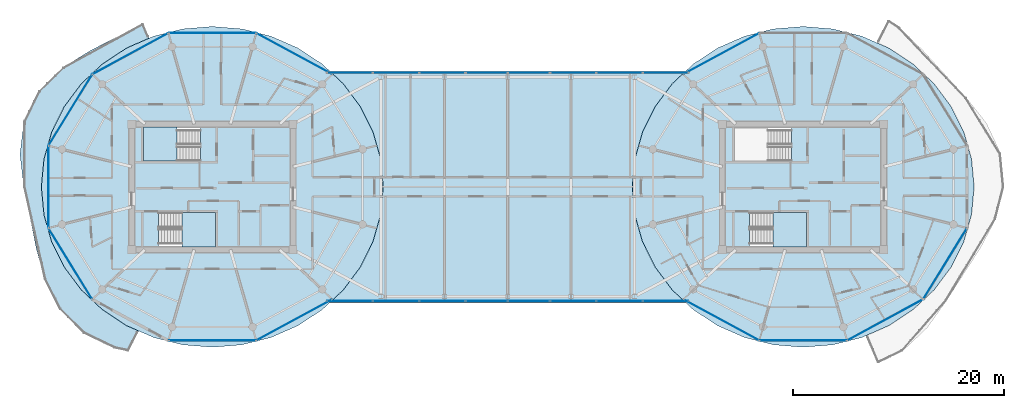
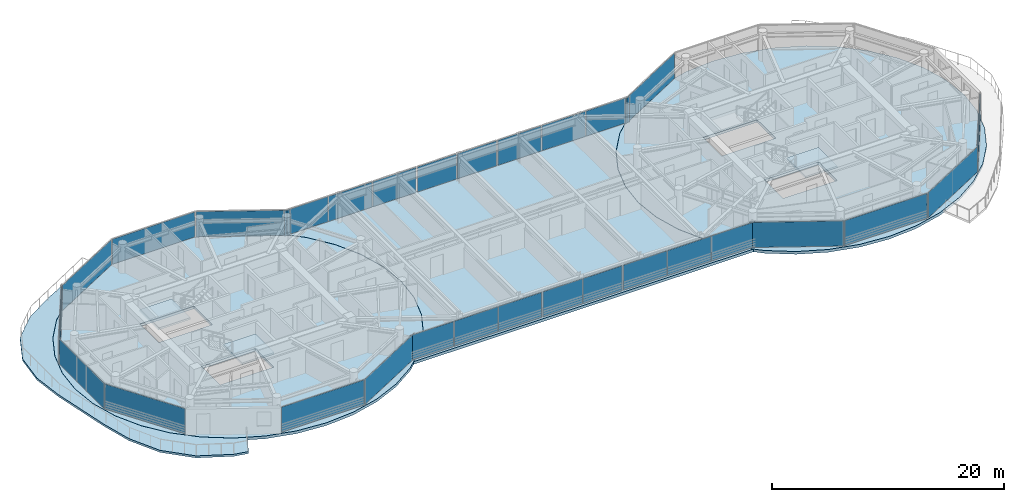
# One storey, part 12 of 24: 29 plates, 7 slabs, 22 elements without a shape of their own.
"""IFC4 building model written with IfcOpenShell, lengths in metres."""

from ifc_helpers import new_model, si_unit, direction, frame, origin, origin_2d, place, context, subcontext, project, spatial, polyline, rectangle, outline, extrude, source, transform, mapped, material, layer, layer_set, type_object, type_shapes, element, aggregate, save


model = new_model("IFC4")

# Units and contexts
model_context = context("Model", 3, precision=1e-05, world=origin(), true_north=direction((0.0, 1.0)))
body_context = subcontext(model_context, "Body", "Model", "MODEL_VIEW")
ifc_project = project(units=[si_unit("LENGTHUNIT", "METRE"), si_unit("AREAUNIT", "SQUARE_METRE"), si_unit("VOLUMEUNIT", "CUBIC_METRE"), si_unit("PLANEANGLEUNIT", "RADIAN"), si_unit("MASSUNIT", "GRAM", prefix="KILO")], contexts=[model_context])

# Site, building, storey
site_placement = place(None, origin())
site = spatial("IfcSite", under=ifc_project, at=site_placement, CompositionType="ELEMENT")
building_placement = place(site_placement, origin())
building = spatial("IfcBuilding", under=site, at=building_placement, Name="Norrkilde Senior Care Towers", CompositionType="ELEMENT")
storey_placement = place(building_placement, frame((0.0, 0.0, 213.89990234375)))
storey = spatial("IfcBuildingStorey", under=building, at=storey_placement, Name="L66", CompositionType="ELEMENT", Elevation=213.89990234375)

# Slabs
ifc_material_1 = material(Name="Concrete C50/60", Category="concrete")
ifc_layer_1 = layer(ifc_material_1, 0.2900390625)
ifc_layer_set_1 = layer_set([ifc_layer_1], Name="Concrete C50/60")
slab_type_1 = type_object("IfcSlabType", Name="Bridge Floor Slab 290", PredefinedType="FLOOR", material=ifc_layer_set_1)
slab_1_placement = place(storey_placement, frame((0.0, 0.0, -0.289794921875)))
element("IfcSlab", 1, at=slab_1_placement, inside=storey, type_object=slab_type_1, Name="L66 Drum W Structural Floor Slab", PredefinedType="FLOOR", context=body_context, shape_type="SweptSolid", body=[
    extrude(outline(polyline([(-12.777099609375, -5.19873046875), (-13.970458984375, -7.60009765625), (-15.590087890625, -9.770263671875), (-17.5869140625, -11.643798828125), (-19.89990234375, -13.16357421875), (-22.459228515625, -14.283447265625), (-25.18701171875, -14.968994140625), (-28.0, -15.199951171875), (-30.81298828125, -14.968994140625), (-33.540771484375, -14.283447265625), (-36.10009765625, -13.16357421875), (-38.4130859375, -11.643798828125), (-40.409912109375, -9.770263671875), (-42.029541015625, -7.60009765625), (-43.222900390625, -5.19873046875), (-43.953857421875, -2.639404296875), (-44.199951171875, 0.0), (-43.953857421875, 2.639404296875), (-43.222900390625, 5.19873046875), (-42.029541015625, 7.60009765625), (-40.409912109375, 9.770263671875), (-38.4130859375, 11.643798828125), (-36.10009765625, 13.16357421875), (-33.540771484375, 14.283447265625), (-30.81298828125, 14.968994140625), (-28.0, 15.199951171875), (-25.18701171875, 14.968994140625), (-22.459228515625, 14.283447265625), (-19.89990234375, 13.16357421875), (-17.5869140625, 11.643798828125), (-15.590087890625, 9.770263671875), (-13.970458984375, 7.60009765625), (-12.777099609375, 5.19873046875), (-12.046142578125, 2.639404296875), (-11.800048828125, 0.0), (-12.046142578125, -2.639404296875), (-12.777099609375, -5.19873046875)]), holes=[polyline([(-34.48193359375, 2.468017578125), (-29.117919921875, 2.468017578125), (-29.117919921875, 5.68994140625), (-34.48193359375, 5.68994140625), (-34.48193359375, 2.468017578125)]), polyline([(-27.718017578125, -5.68994140625), (-27.718017578125, -2.468017578125), (-33.08203125, -2.468017578125), (-33.08203125, -5.68994140625), (-27.718017578125, -5.68994140625)])]), origin(), (0.0, 0.0, 1.0), 0.289794921875),
])
slab_2_placement = place(storey_placement, frame((0.0, 0.0, -0.289794921875)))
element("IfcSlab", 2, at=slab_2_placement, inside=storey, type_object=slab_type_1, Name="L66 Drum E Structural Floor Slab", PredefinedType="FLOOR", context=body_context, shape_type="SweptSolid", body=[
    extrude(outline(polyline([(43.222900390625, -5.19873046875), (42.029541015625, -7.60009765625), (40.409912109375, -9.770263671875), (38.4130859375, -11.643798828125), (36.10009765625, -13.16357421875), (33.540771484375, -14.283447265625), (30.81298828125, -14.968994140625), (28.0, -15.199951171875), (25.18701171875, -14.968994140625), (22.459228515625, -14.283447265625), (19.89990234375, -13.16357421875), (17.5869140625, -11.643798828125), (15.590087890625, -9.770263671875), (13.970458984375, -7.60009765625), (12.777099609375, -5.19873046875), (12.046142578125, -2.639404296875), (11.800048828125, 0.0), (12.046142578125, 2.639404296875), (12.777099609375, 5.19873046875), (13.970458984375, 7.60009765625), (15.590087890625, 9.770263671875), (17.5869140625, 11.643798828125), (19.89990234375, 13.16357421875), (22.459228515625, 14.283447265625), (25.18701171875, 14.968994140625), (28.0, 15.199951171875), (30.81298828125, 14.968994140625), (33.540771484375, 14.283447265625), (36.10009765625, 13.16357421875), (38.4130859375, 11.643798828125), (40.409912109375, 9.770263671875), (42.029541015625, 7.60009765625), (43.222900390625, 5.19873046875), (43.953857421875, 2.639404296875), (44.199951171875, 0.0), (43.953857421875, -2.639404296875), (43.222900390625, -5.19873046875)]), holes=[polyline([(21.51806640625, 2.468017578125), (26.882080078125, 2.468017578125), (26.882080078125, 5.68994140625), (21.51806640625, 5.68994140625), (21.51806640625, 2.468017578125)]), polyline([(28.281982421875, -5.68994140625), (28.281982421875, -2.468017578125), (22.91796875, -2.468017578125), (22.91796875, -5.68994140625), (28.281982421875, -5.68994140625)])]), origin(), (0.0, 0.0, 1.0), 0.289794921875),
])
slab_3_placement = place(storey_placement, frame((0.0, 0.0, -0.289794921875)))
element("IfcSlab", 3, at=slab_3_placement, inside=storey, type_object=slab_type_1, Name="L66 Sky-Gate Bridge Floor Slab", PredefinedType="FLOOR", context=body_context, shape_type="SweptSolid", body=[
    extrude(outline(polyline([(16.893310546875, 11.0), (15.586669921875, 9.77392578125), (15.58642578125, 9.773681640625), (15.586181640625, 9.7734375), (13.96630859375, 7.60302734375), (13.966064453125, 7.6025390625), (13.9658203125, 7.602294921875), (12.7724609375, 5.200927734375), (12.772216796875, 5.200439453125), (12.772216796875, 5.2001953125), (12.041259765625, 2.640869140625), (12.041259765625, 2.640380859375), (12.041015625, 2.639892578125), (11.794921875, 0.00048828125), (11.794921875, 0.0), (11.794921875, -0.00048828125), (12.041015625, -2.639892578125), (12.041259765625, -2.640380859375), (12.041259765625, -2.640869140625), (12.772216796875, -5.2001953125), (12.772216796875, -5.200439453125), (12.7724609375, -5.200927734375), (13.9658203125, -7.602294921875), (13.966064453125, -7.6025390625), (13.96630859375, -7.60302734375), (15.586181640625, -9.7734375), (15.58642578125, -9.773681640625), (15.586669921875, -9.77392578125), (16.893310546875, -11.0), (-16.893310546875, -11.0), (-15.586669921875, -9.77392578125), (-15.58642578125, -9.773681640625), (-15.586181640625, -9.7734375), (-13.96630859375, -7.60302734375), (-13.966064453125, -7.6025390625), (-13.9658203125, -7.602294921875), (-12.7724609375, -5.200927734375), (-12.772216796875, -5.200439453125), (-12.772216796875, -5.2001953125), (-12.041259765625, -2.640869140625), (-12.041259765625, -2.640380859375), (-12.041015625, -2.639892578125), (-11.794921875, -0.00048828125), (-11.794921875, 0.0), (-11.794921875, 0.00048828125), (-12.041015625, 2.639892578125), (-12.041259765625, 2.640380859375), (-12.041259765625, 2.640869140625), (-12.772216796875, 5.2001953125), (-12.772216796875, 5.200439453125), (-12.7724609375, 5.200927734375), (-13.9658203125, 7.602294921875), (-13.966064453125, 7.6025390625), (-13.96630859375, 7.60302734375), (-15.586181640625, 9.7734375), (-15.58642578125, 9.773681640625), (-15.586669921875, 9.77392578125), (-16.893310546875, 11.0), (16.893310546875, 11.0)])), origin(), (0.0, 0.0, 1.0), 0.289794921875),
])
ifc_layer_2 = layer(ifc_material_1, 0.215087890625)
ifc_layer_set_2 = layer_set([ifc_layer_2], Name="Concrete C50/60")
slab_type_2 = type_object("IfcSlabType", Name="Sinusoidal Balcony Ribbon Slab 215", PredefinedType="FLOOR", material=ifc_layer_set_2)
slab_4_placement = place(storey_placement, frame((0.0, 0.0, -0.21484375)))
element("IfcSlab", 4, at=slab_4_placement, inside=storey, type_object=slab_type_2, Name="L66 Drum W Swirling Senior Balcony 1", PredefinedType="FLOOR", context=body_context, shape_type="SweptSolid", body=[
    extrude(outline(polyline([(-42.472900390625, -11.615234375), (-43.908447265625, -8.756103515625), (-44.7021484375, -5.7724609375), (-45.282470703125, -2.88916015625), (-45.869384765625, 0.0), (-46.2265625, 3.066650390625), (-45.853515625, 6.21923828125), (-44.4423828125, 9.084716796875), (-42.153076171875, 11.329345703125), (-39.45947265625, 12.972900390625), (-36.7451171875, 14.354248046875), (-34.5576171875, 15.49951171875), (-33.966552734375, 14.1025390625), (-36.1025390625, 13.16796875), (-38.416259765625, 11.647705078125), (-40.413818359375, 9.773681640625), (-42.033935546875, 7.6025390625), (-43.227783203125, 5.200439453125), (-43.958740234375, 2.640380859375), (-44.205078125, 0.0), (-43.958740234375, -2.640380859375), (-43.227783203125, -5.200439453125), (-42.033935546875, -7.6025390625), (-40.413818359375, -9.773681640625), (-38.416259765625, -11.647705078125), (-36.1025390625, -13.16796875), (-34.976806640625, -13.660400390625), (-35.95947265625, -15.584228515625), (-37.26220703125, -15.309326171875), (-40.1884765625, -13.89892578125), (-42.472900390625, -11.615234375)])), origin(), (0.0, 0.0, 1.0), 0.21484375),
])

# Stair, slab
ifc_material_2 = material(Name="Concrete C45/55", Category="concrete")
stair_type = type_object("IfcStairType", Name="Core Protected Dogleg Stair Typical 3050", PredefinedType="HALF_TURN_STAIR", material=ifc_material_2)
stair_1_placement = place(storey_placement, origin())
stair_1 = element("IfcStair", 5, at=stair_1_placement, inside=storey, type_object=stair_type, Name="L66 Protected Core Stair W1", PredefinedType="HALF_TURN_STAIR")
ifc_layer_3 = layer(ifc_material_2, 0.199951171875)
ifc_layer_set_3 = layer_set([ifc_layer_3], Name="Concrete C45/55")
slab_type_3 = type_object("IfcSlabType", Name="Stair Landing Slab 200", PredefinedType="LANDING", material=ifc_layer_set_3)
slab_5_placement = place(storey_placement, frame((0.0, 0.0, 1.3251953125)))
slab_5 = element("IfcSlab", 6, at=slab_5_placement, type_object=slab_type_3, Name="ST-W1 landing 1", PredefinedType="LANDING", context=body_context, shape_type="SweptSolid", body=[
    extrude(outline(polyline([(-31.340087890625, 5.68994140625), (-34.5, 5.68994140625), (-34.5, 2.449951171875), (-31.340087890625, 2.449951171875), (-31.340087890625, 5.68994140625)])), origin(), (0.0, 0.0, 1.0), 0.199951171875),
])
aggregate(stair_1, [slab_5])

stair_2_placement = place(storey_placement, origin())
stair_2 = element("IfcStair", 7, at=stair_2_placement, inside=storey, type_object=stair_type, Name="L66 Protected Core Stair W2", PredefinedType="HALF_TURN_STAIR")
slab_6_placement = place(storey_placement, frame((0.0, 0.0, 1.3251953125)))
slab_6 = element("IfcSlab", 8, at=slab_6_placement, type_object=slab_type_3, Name="ST-W2 landing 1", PredefinedType="LANDING", context=body_context, shape_type="SweptSolid", body=[
    extrude(outline(polyline([(-30.860107421875, -5.68994140625), (-27.699951171875, -5.68994140625), (-27.699951171875, -2.449951171875), (-30.860107421875, -2.449951171875), (-30.860107421875, -5.68994140625)])), origin(), (0.0, 0.0, 1.0), 0.199951171875),
])
aggregate(stair_2, [slab_6])

stair_3_placement = place(storey_placement, origin())
stair_3 = element("IfcStair", 9, at=stair_3_placement, inside=storey, type_object=stair_type, Name="L66 Protected Core Stair E2", PredefinedType="HALF_TURN_STAIR")
slab_7_placement = place(storey_placement, frame((0.0, 0.0, 1.3251953125)))
slab_7 = element("IfcSlab", 10, at=slab_7_placement, type_object=slab_type_3, Name="ST-E2 landing 1", PredefinedType="LANDING", context=body_context, shape_type="SweptSolid", body=[
    extrude(outline(polyline([(25.139892578125, -5.68994140625), (28.300048828125, -5.68994140625), (28.300048828125, -2.449951171875), (25.139892578125, -2.449951171875), (25.139892578125, -5.68994140625)])), origin(), (0.0, 0.0, 1.0), 0.199951171875),
])
aggregate(stair_3, [slab_7])

# Curtain wall, plate
ifc_material_3 = material(Name="Triple Low-E Insulated Glazing", Category="glass")
ifc_layer_4 = layer(ifc_material_3, 0.18505859375)
ifc_layer_set_4 = layer_set([ifc_layer_4], Name="Triple Low-E Insulated Glazing")
curtain_wall_type_1 = type_object("IfcCurtainWallType", Name="CW6 Zone 4 Crown Pavilion Curtain Wall", PredefinedType="NOTDEFINED", material=ifc_layer_set_4)
curtain_wall_1_placement = place(storey_placement, origin())
curtain_wall_1 = element("IfcCurtainWall", 11, at=curtain_wall_1_placement, inside=storey, type_object=curtain_wall_type_1, Name="L66 Drum W Curtain Wall 04", PredefinedType="NOTDEFINED")
ifc_layer_5 = layer(ifc_material_3, 0.035888671875)
ifc_layer_set_5 = layer_set([ifc_layer_5], Name="Triple Low-E Insulated Glazing")
plate_type = type_object("IfcPlateType", Name="Triple Low-E Vision Curtain Panel 36", PredefinedType="CURTAIN_PANEL", material=ifc_layer_set_5)
shared_shape_1 = source(origin(), body_context, "Body", "SweptSolid", [
    extrude(rectangle(XDim=7.80859375, YDim=0.035888671875, at=origin_2d()), origin(), (0.0, 0.0, 1.0), 2.639892578125),
])
plate_1_placement = place(storey_placement, frame((-41.451171875, 7.282958984375, 0.06005859375), z_axis=(0.0, 0.0, 1.0), x_axis=(0.524252726748, 0.851562727283, 0.0)))
plate_1 = element("IfcPlate", 12, at=plate_1_placement, type_object=plate_type, Name="CW-6 panel 1.1", PredefinedType="CURTAIN_PANEL", context=body_context, shape_type="MappedRepresentation", body=[
    mapped(shared_shape_1, transform((0.0, 0.0, 0.0), x_axis=(1.0, 0.0, 0.0), y_axis=(0.0, 1.0, 0.0), z_axis=(0.0, 0.0, 1.0), scale=1.0)),
])
aggregate(curtain_wall_1, [plate_1])

curtain_wall_2_placement = place(storey_placement, origin())
curtain_wall_2 = element("IfcCurtainWall", 13, at=curtain_wall_2_placement, inside=storey, type_object=curtain_wall_type_1, Name="L66 Drum W Curtain Wall 06", PredefinedType="NOTDEFINED")
plate_2_placement = place(storey_placement, frame((-41.451171875, -7.282958984375, 0.06005859375), z_axis=(0.0, 0.0, 1.0), x_axis=(-0.524252726748, 0.851562727283, 0.0)))
plate_2 = element("IfcPlate", 14, at=plate_2_placement, type_object=plate_type, Name="CW-6 panel 1.1", PredefinedType="CURTAIN_PANEL", context=body_context, shape_type="MappedRepresentation", body=[
    mapped(shared_shape_1, transform((0.0, 0.0, 0.0), x_axis=(1.0, 0.0, 0.0), y_axis=(0.0, 1.0, 0.0), z_axis=(0.0, 0.0, 1.0), scale=1.0)),
])
aggregate(curtain_wall_2, [plate_2])

curtain_wall_3_placement = place(storey_placement, origin())
curtain_wall_3 = element("IfcCurtainWall", 15, at=curtain_wall_3_placement, inside=storey, type_object=curtain_wall_type_1, Name="L66 Drum E Curtain Wall 10", PredefinedType="NOTDEFINED")
plate_3_placement = place(storey_placement, frame((41.451171875, -7.282958984375, 0.06005859375), z_axis=(0.0, 0.0, 1.0), x_axis=(-0.524252726748, -0.851562727283, 0.0)))
plate_3 = element("IfcPlate", 16, at=plate_3_placement, type_object=plate_type, Name="CW-6 panel 1.1", PredefinedType="CURTAIN_PANEL", context=body_context, shape_type="MappedRepresentation", body=[
    mapped(shared_shape_1, transform((0.0, 0.0, 0.0), x_axis=(1.0, 0.0, 0.0), y_axis=(0.0, 1.0, 0.0), z_axis=(0.0, 0.0, 1.0), scale=1.0)),
])
aggregate(curtain_wall_3, [plate_3])

curtain_wall_4_placement = place(storey_placement, origin())
curtain_wall_4 = element("IfcCurtainWall", 17, at=curtain_wall_4_placement, inside=storey, type_object=curtain_wall_type_1, Name="L66 Drum W Curtain Wall 01", PredefinedType="NOTDEFINED")
shared_shape_2 = source(origin(), body_context, "Body", "SweptSolid", [
    extrude(rectangle(XDim=8.0673828125, YDim=0.035888671875, at=origin_2d()), origin(), (0.0, 0.0, 1.0), 2.639892578125),
])
plate_4_placement = place(storey_placement, frame((-20.23388671875, 12.61474609375, 0.06005859375), z_axis=(0.0, 0.0, 1.0), x_axis=(0.879373455772, -0.476132676136, 0.0)))
plate_4 = element("IfcPlate", 18, at=plate_4_placement, type_object=plate_type, Name="CW-6 panel 1.1", PredefinedType="CURTAIN_PANEL", context=body_context, shape_type="MappedRepresentation", body=[
    mapped(shared_shape_2, transform((0.0, 0.0, 0.0), x_axis=(1.0, 0.0, 0.0), y_axis=(0.0, 1.0, 0.0), z_axis=(0.0, 0.0, 1.0), scale=1.0)),
])
aggregate(curtain_wall_4, [plate_4])

curtain_wall_5_placement = place(storey_placement, origin())
curtain_wall_5 = element("IfcCurtainWall", 19, at=curtain_wall_5_placement, inside=storey, type_object=curtain_wall_type_1, Name="L66 Drum W Curtain Wall 03", PredefinedType="NOTDEFINED")
plate_5_placement = place(storey_placement, frame((-35.76611328125, 12.61474609375, 0.06005859375), z_axis=(0.0, 0.0, 1.0), x_axis=(0.879373455772, 0.476132676136, 0.0)))
plate_5 = element("IfcPlate", 20, at=plate_5_placement, type_object=plate_type, Name="CW-6 panel 1.1", PredefinedType="CURTAIN_PANEL", context=body_context, shape_type="MappedRepresentation", body=[
    mapped(shared_shape_2, transform((0.0, 0.0, 0.0), x_axis=(1.0, 0.0, 0.0), y_axis=(0.0, 1.0, 0.0), z_axis=(0.0, 0.0, 1.0), scale=1.0)),
])
aggregate(curtain_wall_5, [plate_5])

curtain_wall_6_placement = place(storey_placement, origin())
curtain_wall_6 = element("IfcCurtainWall", 21, at=curtain_wall_6_placement, inside=storey, type_object=curtain_wall_type_1, Name="L66 Drum W Curtain Wall 09", PredefinedType="NOTDEFINED")
plate_6_placement = place(storey_placement, frame((-20.23388671875, -12.61474609375, 0.06005859375), z_axis=(0.0, 0.0, 1.0), x_axis=(-0.879373455772, -0.476132676136, 0.0)))
plate_6 = element("IfcPlate", 22, at=plate_6_placement, type_object=plate_type, Name="CW-6 panel 1.1", PredefinedType="CURTAIN_PANEL", context=body_context, shape_type="MappedRepresentation", body=[
    mapped(shared_shape_2, transform((0.0, 0.0, 0.0), x_axis=(1.0, 0.0, 0.0), y_axis=(0.0, 1.0, 0.0), z_axis=(0.0, 0.0, 1.0), scale=1.0)),
])
aggregate(curtain_wall_6, [plate_6])

curtain_wall_7_placement = place(storey_placement, origin())
curtain_wall_7 = element("IfcCurtainWall", 23, at=curtain_wall_7_placement, inside=storey, type_object=curtain_wall_type_1, Name="L66 Drum E Curtain Wall 03", PredefinedType="NOTDEFINED")
plate_7_placement = place(storey_placement, frame((20.23388671875, 12.61474609375, 0.06005859375), z_axis=(0.0, 0.0, 1.0), x_axis=(0.879373455772, 0.476132676136, 0.0)))
plate_7 = element("IfcPlate", 24, at=plate_7_placement, type_object=plate_type, Name="CW-6 panel 1.1", PredefinedType="CURTAIN_PANEL", context=body_context, shape_type="MappedRepresentation", body=[
    mapped(shared_shape_2, transform((0.0, 0.0, 0.0), x_axis=(1.0, 0.0, 0.0), y_axis=(0.0, 1.0, 0.0), z_axis=(0.0, 0.0, 1.0), scale=1.0)),
])
aggregate(curtain_wall_7, [plate_7])

curtain_wall_8_placement = place(storey_placement, origin())
curtain_wall_8 = element("IfcCurtainWall", 25, at=curtain_wall_8_placement, inside=storey, type_object=curtain_wall_type_1, Name="L66 Drum E Curtain Wall 07", PredefinedType="NOTDEFINED")
plate_8_placement = place(storey_placement, frame((20.23388671875, -12.61474609375, 0.06005859375), z_axis=(0.0, 0.0, 1.0), x_axis=(-0.879373455772, 0.476132676136, 0.0)))
plate_8 = element("IfcPlate", 26, at=plate_8_placement, type_object=plate_type, Name="CW-6 panel 1.1", PredefinedType="CURTAIN_PANEL", context=body_context, shape_type="MappedRepresentation", body=[
    mapped(shared_shape_2, transform((0.0, 0.0, 0.0), x_axis=(1.0, 0.0, 0.0), y_axis=(0.0, 1.0, 0.0), z_axis=(0.0, 0.0, 1.0), scale=1.0)),
])
aggregate(curtain_wall_8, [plate_8])

curtain_wall_9_placement = place(storey_placement, origin())
curtain_wall_9 = element("IfcCurtainWall", 27, at=curtain_wall_9_placement, inside=storey, type_object=curtain_wall_type_1, Name="L66 Drum E Curtain Wall 09", PredefinedType="NOTDEFINED")
plate_9_placement = place(storey_placement, frame((35.76611328125, -12.61474609375, 0.06005859375), z_axis=(0.0, 0.0, 1.0), x_axis=(-0.879373455772, -0.476132676136, 0.0)))
plate_9 = element("IfcPlate", 28, at=plate_9_placement, type_object=plate_type, Name="CW-6 panel 1.1", PredefinedType="CURTAIN_PANEL", context=body_context, shape_type="MappedRepresentation", body=[
    mapped(shared_shape_2, transform((0.0, 0.0, 0.0), x_axis=(1.0, 0.0, 0.0), y_axis=(0.0, 1.0, 0.0), z_axis=(0.0, 0.0, 1.0), scale=1.0)),
])
aggregate(curtain_wall_9, [plate_9])

curtain_wall_10_placement = place(storey_placement, origin())
curtain_wall_10 = element("IfcCurtainWall", 29, at=curtain_wall_10_placement, inside=storey, type_object=curtain_wall_type_1, Name="L66 Drum W Curtain Wall 02", PredefinedType="NOTDEFINED")
shared_shape_3 = source(origin(), body_context, "Body", "SweptSolid", [
    extrude(rectangle(XDim=8.193603515625, YDim=0.035888671875, at=origin_2d()), origin(), (0.0, 0.0, 1.0), 2.639892578125),
])
plate_10_placement = place(storey_placement, frame((-28.0, 14.566162109375, 0.06005859375), z_axis=(0.0, 0.0, 1.0), x_axis=(1.0, 0.0, 0.0)))
plate_10 = element("IfcPlate", 30, at=plate_10_placement, type_object=plate_type, Name="CW-6 panel 1.1", PredefinedType="CURTAIN_PANEL", context=body_context, shape_type="MappedRepresentation", body=[
    mapped(shared_shape_3, transform((0.0, 0.0, 0.0), x_axis=(1.0, 0.0, 0.0), y_axis=(0.0, 1.0, 0.0), z_axis=(0.0, 0.0, 1.0), scale=1.0)),
])
aggregate(curtain_wall_10, [plate_10])

curtain_wall_11_placement = place(storey_placement, origin())
curtain_wall_11 = element("IfcCurtainWall", 31, at=curtain_wall_11_placement, inside=storey, type_object=curtain_wall_type_1, Name="L66 Drum W Curtain Wall 08", PredefinedType="NOTDEFINED")
plate_11_placement = place(storey_placement, frame((-28.0, -14.566162109375, 0.06005859375), z_axis=(0.0, 0.0, 1.0), x_axis=(-1.0, 0.0, 0.0)))
plate_11 = element("IfcPlate", 32, at=plate_11_placement, type_object=plate_type, Name="CW-6 panel 1.1", PredefinedType="CURTAIN_PANEL", context=body_context, shape_type="MappedRepresentation", body=[
    mapped(shared_shape_3, transform((0.0, 0.0, 0.0), x_axis=(1.0, 0.0, 0.0), y_axis=(0.0, 1.0, 0.0), z_axis=(0.0, 0.0, 1.0), scale=1.0)),
])
aggregate(curtain_wall_11, [plate_11])

curtain_wall_12_placement = place(storey_placement, origin())
curtain_wall_12 = element("IfcCurtainWall", 33, at=curtain_wall_12_placement, inside=storey, type_object=curtain_wall_type_1, Name="L66 Drum E Curtain Wall 08", PredefinedType="NOTDEFINED")
plate_12_placement = place(storey_placement, frame((28.0, -14.566162109375, 0.06005859375), z_axis=(0.0, 0.0, 1.0), x_axis=(-1.0, 0.0, 0.0)))
plate_12 = element("IfcPlate", 34, at=plate_12_placement, type_object=plate_type, Name="CW-6 panel 1.1", PredefinedType="CURTAIN_PANEL", context=body_context, shape_type="MappedRepresentation", body=[
    mapped(shared_shape_3, transform((0.0, 0.0, 0.0), x_axis=(1.0, 0.0, 0.0), y_axis=(0.0, 1.0, 0.0), z_axis=(0.0, 0.0, 1.0), scale=1.0)),
])
aggregate(curtain_wall_12, [plate_12])

curtain_wall_13_placement = place(storey_placement, origin())
curtain_wall_13 = element("IfcCurtainWall", 35, at=curtain_wall_13_placement, inside=storey, type_object=curtain_wall_type_1, Name="L66 Drum W Curtain Wall 05", PredefinedType="NOTDEFINED")
shared_shape_4 = source(origin(), body_context, "Body", "SweptSolid", [
    extrude(rectangle(XDim=7.676025390625, YDim=0.035888671875, at=origin_2d()), origin(), (0.0, 0.0, 1.0), 2.639892578125),
])
plate_13_placement = place(storey_placement, frame((-43.531982421875, 0.0, 0.06005859375), z_axis=(0.0, 0.0, 1.0), x_axis=(0.0, 1.0, 0.0)))
plate_13 = element("IfcPlate", 36, at=plate_13_placement, type_object=plate_type, Name="CW-6 panel 1.1", PredefinedType="CURTAIN_PANEL", context=body_context, shape_type="MappedRepresentation", body=[
    mapped(shared_shape_4, transform((0.0, 0.0, 0.0), x_axis=(1.0, 0.0, 0.0), y_axis=(0.0, 1.0, 0.0), z_axis=(0.0, 0.0, 1.0), scale=1.0)),
])
aggregate(curtain_wall_13, [plate_13])

# Curtain wall, plates
ifc_layer_6 = layer(ifc_material_3, 0.2099609375)
ifc_layer_set_6 = layer_set([ifc_layer_6], Name="Triple Low-E Insulated Glazing")
curtain_wall_type_2 = type_object("IfcCurtainWallType", Name="CW5 Sky-Gate Bridge Curtain Wall", PredefinedType="NOTDEFINED", material=ifc_layer_set_6)
curtain_wall_14_placement = place(storey_placement, origin())
curtain_wall_14 = element("IfcCurtainWall", 37, at=curtain_wall_14_placement, inside=storey, type_object=curtain_wall_type_2, Name="L66 Sky-Gate Bridge North Curtain Wall 1", PredefinedType="NOTDEFINED")
shared_shape_5 = source(origin(), body_context, "Body", "SweptSolid", [
    extrude(rectangle(XDim=4.294921875, YDim=0.035888671875, at=origin_2d()), origin(), (0.0, 0.0, 1.0), 2.6298828125),
])
plate_14_placement = place(storey_placement, frame((-14.982421875, 10.820068359375, 0.065185546875), z_axis=(0.0, 0.0, 1.0), x_axis=(1.0, 0.0, 0.0)))
plate_14 = element("IfcPlate", 38, at=plate_14_placement, type_object=plate_type, Name="CW-5 panel 1.1", PredefinedType="CURTAIN_PANEL", context=body_context, shape_type="MappedRepresentation", body=[
    mapped(shared_shape_5, transform((0.0, 0.0, 0.0), x_axis=(1.0, 0.0, 0.0), y_axis=(0.0, 1.0, 0.0), z_axis=(0.0, 0.0, 1.0), scale=1.0)),
])
plate_15_placement = place(storey_placement, frame((-6.217529296875, 10.820068359375, 0.065185546875), z_axis=(0.0, 0.0, 1.0), x_axis=(1.0, 0.0, 0.0)))
plate_15 = element("IfcPlate", 39, at=plate_15_placement, type_object=plate_type, Name="CW-5 panel 3.1", PredefinedType="CURTAIN_PANEL", context=body_context, shape_type="MappedRepresentation", body=[
    mapped(shared_shape_5, transform((0.0, 0.0, 0.0), x_axis=(1.0, 0.0, 0.0), y_axis=(0.0, 1.0, 0.0), z_axis=(0.0, 0.0, 1.0), scale=1.0)),
])

curtain_wall_15_placement = place(storey_placement, origin())
curtain_wall_15 = element("IfcCurtainWall", 40, at=curtain_wall_15_placement, inside=storey, type_object=curtain_wall_type_2, Name="L66 Sky-Gate Bridge North Curtain Wall 3", PredefinedType="NOTDEFINED")
plate_16_placement = place(storey_placement, frame((6.217529296875, 10.820068359375, 0.065185546875), z_axis=(0.0, 0.0, 1.0), x_axis=(1.0, 0.0, 0.0)))
plate_16 = element("IfcPlate", 41, at=plate_16_placement, type_object=plate_type, Name="CW-5 panel 1.1", PredefinedType="CURTAIN_PANEL", context=body_context, shape_type="MappedRepresentation", body=[
    mapped(shared_shape_5, transform((0.0, 0.0, 0.0), x_axis=(1.0, 0.0, 0.0), y_axis=(0.0, 1.0, 0.0), z_axis=(0.0, 0.0, 1.0), scale=1.0)),
])
plate_17_placement = place(storey_placement, frame((14.982421875, 10.820068359375, 0.065185546875), z_axis=(0.0, 0.0, 1.0), x_axis=(1.0, 0.0, 0.0)))
plate_17 = element("IfcPlate", 42, at=plate_17_placement, type_object=plate_type, Name="CW-5 panel 3.1", PredefinedType="CURTAIN_PANEL", context=body_context, shape_type="MappedRepresentation", body=[
    mapped(shared_shape_5, transform((0.0, 0.0, 0.0), x_axis=(1.0, 0.0, 0.0), y_axis=(0.0, 1.0, 0.0), z_axis=(0.0, 0.0, 1.0), scale=1.0)),
])

curtain_wall_16_placement = place(storey_placement, origin())
curtain_wall_16 = element("IfcCurtainWall", 43, at=curtain_wall_16_placement, inside=storey, type_object=curtain_wall_type_2, Name="L66 Sky-Gate Bridge South Curtain Wall 1", PredefinedType="NOTDEFINED")
plate_18_placement = place(storey_placement, frame((14.982421875, -10.820068359375, 0.065185546875), z_axis=(0.0, 0.0, 1.0), x_axis=(-1.0, 0.0, 0.0)))
plate_18 = element("IfcPlate", 44, at=plate_18_placement, type_object=plate_type, Name="CW-5 panel 1.1", PredefinedType="CURTAIN_PANEL", context=body_context, shape_type="MappedRepresentation", body=[
    mapped(shared_shape_5, transform((0.0, 0.0, 0.0), x_axis=(1.0, 0.0, 0.0), y_axis=(0.0, 1.0, 0.0), z_axis=(0.0, 0.0, 1.0), scale=1.0)),
])
plate_19_placement = place(storey_placement, frame((6.217529296875, -10.820068359375, 0.065185546875), z_axis=(0.0, 0.0, 1.0), x_axis=(-1.0, 0.0, 0.0)))
plate_19 = element("IfcPlate", 45, at=plate_19_placement, type_object=plate_type, Name="CW-5 panel 3.1", PredefinedType="CURTAIN_PANEL", context=body_context, shape_type="MappedRepresentation", body=[
    mapped(shared_shape_5, transform((0.0, 0.0, 0.0), x_axis=(1.0, 0.0, 0.0), y_axis=(0.0, 1.0, 0.0), z_axis=(0.0, 0.0, 1.0), scale=1.0)),
])

curtain_wall_17_placement = place(storey_placement, origin())
curtain_wall_17 = element("IfcCurtainWall", 46, at=curtain_wall_17_placement, inside=storey, type_object=curtain_wall_type_2, Name="L66 Sky-Gate Bridge South Curtain Wall 3", PredefinedType="NOTDEFINED")
plate_20_placement = place(storey_placement, frame((-6.217529296875, -10.820068359375, 0.065185546875), z_axis=(0.0, 0.0, 1.0), x_axis=(-1.0, 0.0, 0.0)))
plate_20 = element("IfcPlate", 47, at=plate_20_placement, type_object=plate_type, Name="CW-5 panel 1.1", PredefinedType="CURTAIN_PANEL", context=body_context, shape_type="MappedRepresentation", body=[
    mapped(shared_shape_5, transform((0.0, 0.0, 0.0), x_axis=(1.0, 0.0, 0.0), y_axis=(0.0, 1.0, 0.0), z_axis=(0.0, 0.0, 1.0), scale=1.0)),
])
plate_21_placement = place(storey_placement, frame((-14.982421875, -10.820068359375, 0.065185546875), z_axis=(0.0, 0.0, 1.0), x_axis=(-1.0, 0.0, 0.0)))
plate_21 = element("IfcPlate", 48, at=plate_21_placement, type_object=plate_type, Name="CW-5 panel 3.1", PredefinedType="CURTAIN_PANEL", context=body_context, shape_type="MappedRepresentation", body=[
    mapped(shared_shape_5, transform((0.0, 0.0, 0.0), x_axis=(1.0, 0.0, 0.0), y_axis=(0.0, 1.0, 0.0), z_axis=(0.0, 0.0, 1.0), scale=1.0)),
])

# Plate
shared_shape_6 = source(origin(), body_context, "Body", "SweptSolid", [
    extrude(rectangle(XDim=4.330078125, YDim=0.035888671875, at=origin_2d()), origin(), (0.0, 0.0, 1.0), 2.6298828125),
])
plate_22_placement = place(storey_placement, frame((-10.60009765625, 10.820068359375, 0.065185546875), z_axis=(0.0, 0.0, 1.0), x_axis=(1.0, 0.0, 0.0)))
plate_22 = element("IfcPlate", 49, at=plate_22_placement, type_object=plate_type, Name="CW-5 panel 2.1", PredefinedType="CURTAIN_PANEL", context=body_context, shape_type="MappedRepresentation", body=[
    mapped(shared_shape_6, transform((0.0, 0.0, 0.0), x_axis=(1.0, 0.0, 0.0), y_axis=(0.0, 1.0, 0.0), z_axis=(0.0, 0.0, 1.0), scale=1.0)),
])

aggregate(curtain_wall_14, [plate_14, plate_22, plate_15])

plate_23_placement = place(storey_placement, frame((10.60009765625, 10.820068359375, 0.065185546875), z_axis=(0.0, 0.0, 1.0), x_axis=(1.0, 0.0, 0.0)))
plate_23 = element("IfcPlate", 50, at=plate_23_placement, type_object=plate_type, Name="CW-5 panel 2.1", PredefinedType="CURTAIN_PANEL", context=body_context, shape_type="MappedRepresentation", body=[
    mapped(shared_shape_6, transform((0.0, 0.0, 0.0), x_axis=(1.0, 0.0, 0.0), y_axis=(0.0, 1.0, 0.0), z_axis=(0.0, 0.0, 1.0), scale=1.0)),
])

aggregate(curtain_wall_15, [plate_16, plate_23, plate_17])

plate_24_placement = place(storey_placement, frame((10.60009765625, -10.820068359375, 0.065185546875), z_axis=(0.0, 0.0, 1.0), x_axis=(-1.0, 0.0, 0.0)))
plate_24 = element("IfcPlate", 51, at=plate_24_placement, type_object=plate_type, Name="CW-5 panel 2.1", PredefinedType="CURTAIN_PANEL", context=body_context, shape_type="MappedRepresentation", body=[
    mapped(shared_shape_6, transform((0.0, 0.0, 0.0), x_axis=(1.0, 0.0, 0.0), y_axis=(0.0, 1.0, 0.0), z_axis=(0.0, 0.0, 1.0), scale=1.0)),
])

aggregate(curtain_wall_16, [plate_18, plate_24, plate_19])

plate_25_placement = place(storey_placement, frame((-10.60009765625, -10.820068359375, 0.065185546875), z_axis=(0.0, 0.0, 1.0), x_axis=(-1.0, 0.0, 0.0)))
plate_25 = element("IfcPlate", 52, at=plate_25_placement, type_object=plate_type, Name="CW-5 panel 2.1", PredefinedType="CURTAIN_PANEL", context=body_context, shape_type="MappedRepresentation", body=[
    mapped(shared_shape_6, transform((0.0, 0.0, 0.0), x_axis=(1.0, 0.0, 0.0), y_axis=(0.0, 1.0, 0.0), z_axis=(0.0, 0.0, 1.0), scale=1.0)),
])

aggregate(curtain_wall_17, [plate_20, plate_25, plate_21])

# Curtain wall, plates
curtain_wall_18_placement = place(storey_placement, origin())
curtain_wall_18 = element("IfcCurtainWall", 53, at=curtain_wall_18_placement, inside=storey, type_object=curtain_wall_type_2, Name="L66 Sky-Gate Bridge North Curtain Wall 2", PredefinedType="NOTDEFINED")
shared_shape_7 = source(origin(), body_context, "Body", "SweptSolid", [
    extrude(rectangle(XDim=3.89501953125, YDim=0.035888671875, at=origin_2d()), origin(), (0.0, 0.0, 1.0), 2.6298828125),
])
type_shapes(plate_type, [shared_shape_1, shared_shape_2, shared_shape_3, shared_shape_4, shared_shape_5, shared_shape_6, shared_shape_7])
plate_26_placement = place(storey_placement, frame((-1.982421875, 10.820068359375, 0.065185546875), z_axis=(0.0, 0.0, 1.0), x_axis=(1.0, 0.0, 0.0)))
plate_26 = element("IfcPlate", 54, at=plate_26_placement, type_object=plate_type, Name="CW-5 panel 1.1", PredefinedType="CURTAIN_PANEL", context=body_context, shape_type="MappedRepresentation", body=[
    mapped(shared_shape_7, transform((0.0, 0.0, 0.0), x_axis=(1.0, 0.0, 0.0), y_axis=(0.0, 1.0, 0.0), z_axis=(0.0, 0.0, 1.0), scale=1.0)),
])
plate_27_placement = place(storey_placement, frame((1.982421875, 10.820068359375, 0.065185546875), z_axis=(0.0, 0.0, 1.0), x_axis=(1.0, 0.0, 0.0)))
plate_27 = element("IfcPlate", 55, at=plate_27_placement, type_object=plate_type, Name="CW-5 panel 2.1", PredefinedType="CURTAIN_PANEL", context=body_context, shape_type="MappedRepresentation", body=[
    mapped(shared_shape_7, transform((0.0, 0.0, 0.0), x_axis=(1.0, 0.0, 0.0), y_axis=(0.0, 1.0, 0.0), z_axis=(0.0, 0.0, 1.0), scale=1.0)),
])
aggregate(curtain_wall_18, [plate_26, plate_27])

curtain_wall_19_placement = place(storey_placement, origin())
curtain_wall_19 = element("IfcCurtainWall", 56, at=curtain_wall_19_placement, inside=storey, type_object=curtain_wall_type_2, Name="L66 Sky-Gate Bridge South Curtain Wall 2", PredefinedType="NOTDEFINED")
plate_28_placement = place(storey_placement, frame((1.982421875, -10.820068359375, 0.065185546875), z_axis=(0.0, 0.0, 1.0), x_axis=(-1.0, 0.0, 0.0)))
plate_28 = element("IfcPlate", 57, at=plate_28_placement, type_object=plate_type, Name="CW-5 panel 1.1", PredefinedType="CURTAIN_PANEL", context=body_context, shape_type="MappedRepresentation", body=[
    mapped(shared_shape_7, transform((0.0, 0.0, 0.0), x_axis=(1.0, 0.0, 0.0), y_axis=(0.0, 1.0, 0.0), z_axis=(0.0, 0.0, 1.0), scale=1.0)),
])
plate_29_placement = place(storey_placement, frame((-1.982421875, -10.820068359375, 0.065185546875), z_axis=(0.0, 0.0, 1.0), x_axis=(-1.0, 0.0, 0.0)))
plate_29 = element("IfcPlate", 58, at=plate_29_placement, type_object=plate_type, Name="CW-5 panel 2.1", PredefinedType="CURTAIN_PANEL", context=body_context, shape_type="MappedRepresentation", body=[
    mapped(shared_shape_7, transform((0.0, 0.0, 0.0), x_axis=(1.0, 0.0, 0.0), y_axis=(0.0, 1.0, 0.0), z_axis=(0.0, 0.0, 1.0), scale=1.0)),
])
aggregate(curtain_wall_19, [plate_28, plate_29])

save(model, "model.ifc")
